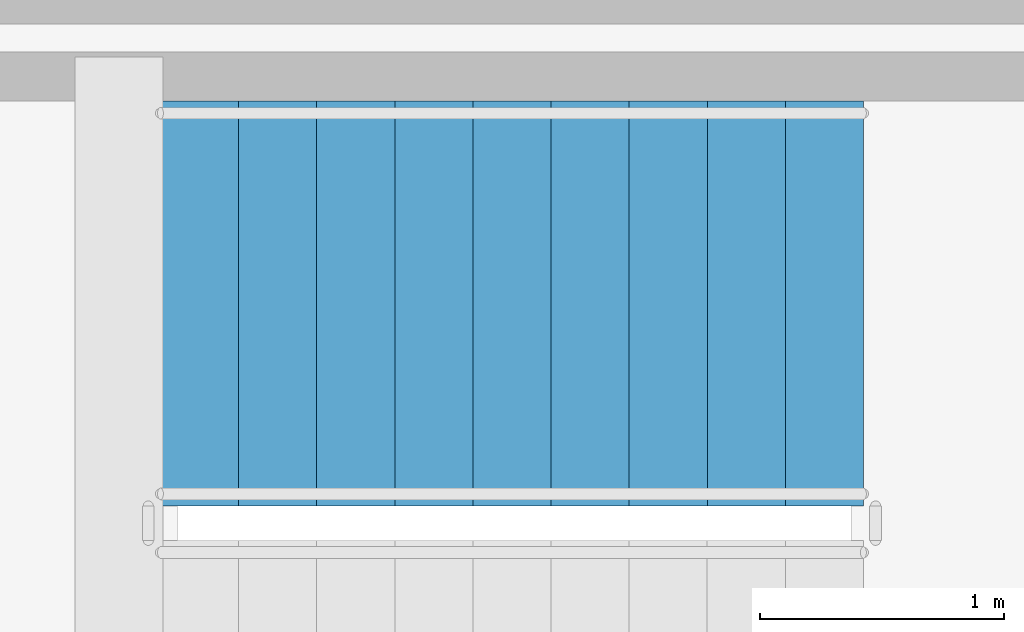
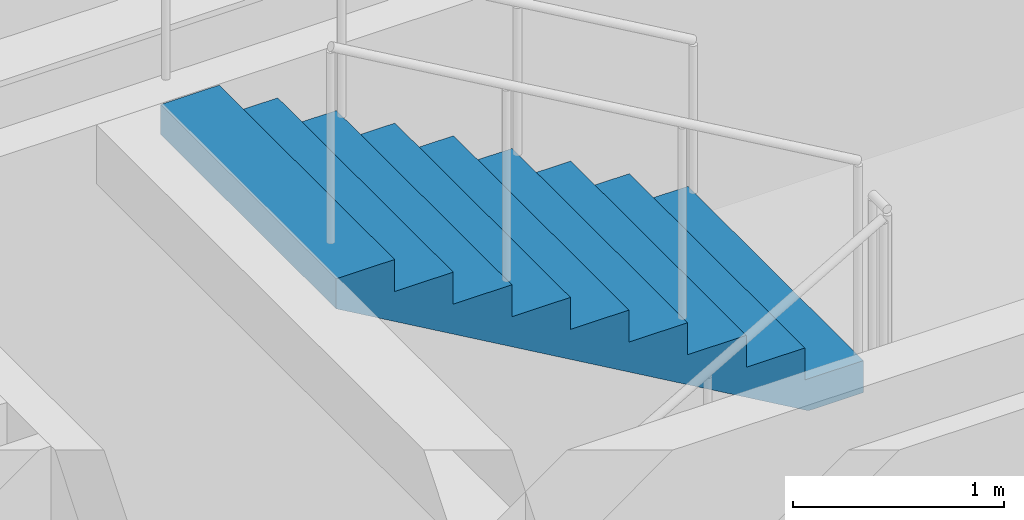
# One storey, part 20 of 21: 1 stair flight, 1 element without a shape of its own.
"""IFC4 building model written with IfcOpenShell, lengths in metres."""

from ifc_helpers import new_model, si_unit, direction, frame, origin, place, context, subcontext, project, spatial, polyline, outline, extrude, material, type_object, element, aggregate, save


model = new_model("IFC4")

# Units and contexts
model_context = context("Model", 3, precision=1e-05, world=origin(), true_north=direction((0.0, 1.0)))
body_context = subcontext(model_context, "Body", "Model", "MODEL_VIEW")
ifc_project = project(units=[si_unit("LENGTHUNIT", "METRE"), si_unit("AREAUNIT", "SQUARE_METRE"), si_unit("VOLUMEUNIT", "CUBIC_METRE"), si_unit("PLANEANGLEUNIT", "RADIAN"), si_unit("MASSUNIT", "GRAM", prefix="KILO")], contexts=[model_context])

# Site, building, storey
site_placement = place(None, origin())
site = spatial("IfcSite", under=ifc_project, at=site_placement, CompositionType="ELEMENT")
building_placement = place(site_placement, origin())
building = spatial("IfcBuilding", under=site, at=building_placement, Name="Kallvorn Hotel Tower", CompositionType="ELEMENT")
storey_placement = place(building_placement, frame((0.0, 0.0, 44.800048828125)))
storey = spatial("IfcBuildingStorey", under=building, at=storey_placement, Name="L09", CompositionType="ELEMENT", Elevation=44.800048828125)

# Stair, stair flight
ifc_material_1 = material(Name="Precast concrete C40/50", Category="concrete")
stair_type = type_object("IfcStairType", Name="STR_CORE_DOGLEG", PredefinedType="HALF_TURN_STAIR", material=ifc_material_1)
stair_placement = place(storey_placement, origin())
stair = element("IfcStair", 1, at=stair_placement, inside=storey, type_object=stair_type, Name="L09 Exit stair ST3", PredefinedType="HALF_TURN_STAIR")
ifc_material_2 = material(Name="Precast concrete C40/50", Category="concrete")
stair_flight_type = type_object("IfcStairFlightType", Name="FLT_CORE_1660", PredefinedType="STRAIGHT", material=ifc_material_2)
stair_flight_placement = place(storey_placement, frame((0.090087890625, 5.679931640625, 1.849853515625), z_axis=(0.0, 0.0, 1.0), x_axis=(-1.0, 0.0, 0.0)))
stair_flight = element("IfcStairFlight", 2, at=stair_flight_placement, type_object=stair_flight_type, Name="ST3 flight 2", NumberOfRisers=10, NumberOfTreads=9, PredefinedType="STRAIGHT", RiserHeight=0.185, TreadLength=0.32, context=body_context, shape_type="SweptSolid", body=[
    extrude(outline(polyline([(0.0, 0.0), (0.0, 0.18505859375), (0.320068359375, 0.18505859375), (0.320068359375, 0.3701171875), (0.639892578125, 0.3701171875), (0.639892578125, 0.554931640625), (0.9599609375, 0.554931640625), (0.9599609375, 0.739990234375), (1.280029296875, 0.739990234375), (1.280029296875, 0.925048828125), (1.60009765625, 0.925048828125), (1.60009765625, 1.110107421875), (1.919921875, 1.110107421875), (1.919921875, 1.294921875), (2.239990234375, 1.294921875), (2.239990234375, 1.47998046875), (2.56005859375, 1.47998046875), (2.56005859375, 1.6650390625), (2.8798828125, 1.6650390625), (2.8798828125, 1.85009765625), (2.8798828125, 1.491943359375), (0.299560546875, 0.0), (0.0, 0.0)])), frame((0.0, 0.830078125, 0.0), z_axis=(0.0, -1.0, 0.0), x_axis=(1.0, 0.0, 0.0)), (0.0, 0.0, 1.0), 1.659912109375),
])
aggregate(stair, [stair_flight])

save(model, "model.ifc")
